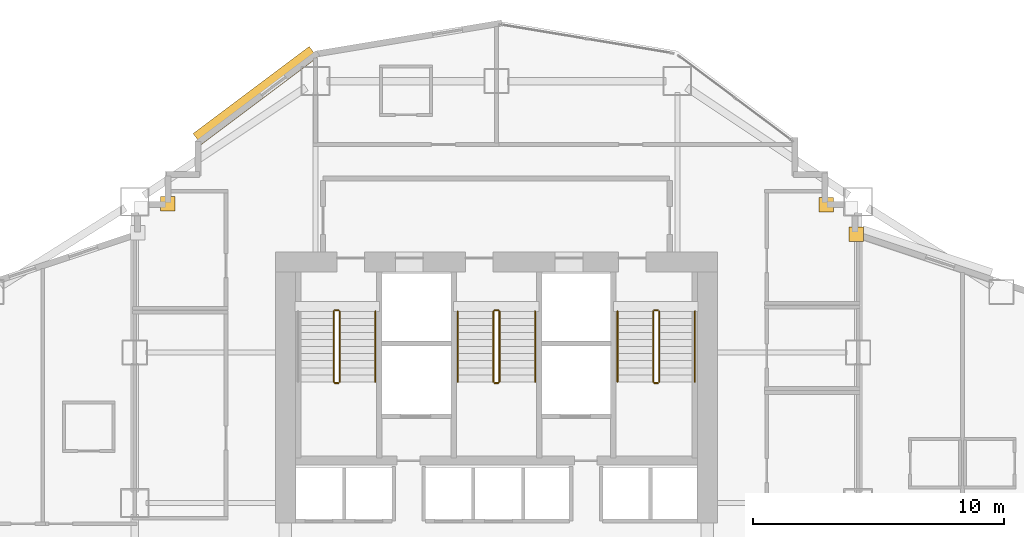
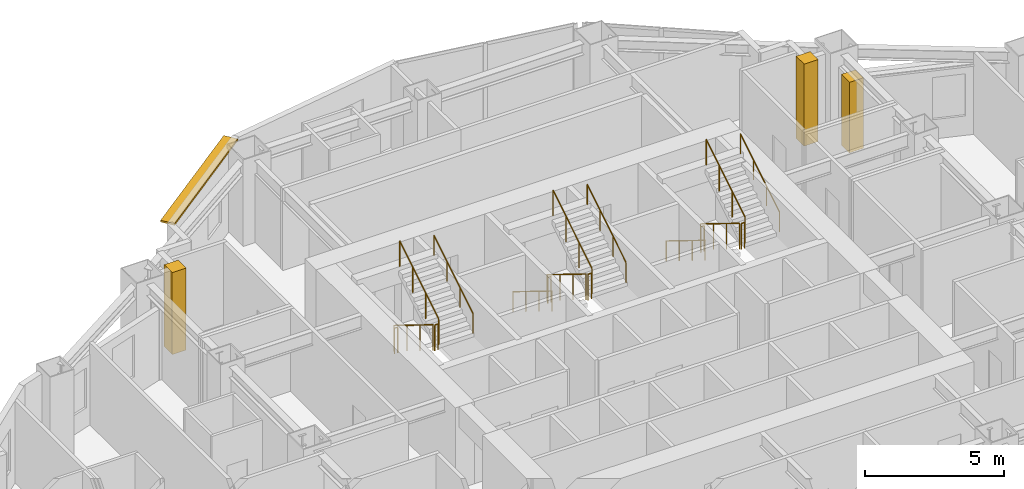
# One storey, part 15 of 16: 17 railings, 3 coverings, 1 shading device.
"""IFC4 building model written with IfcOpenShell, lengths in metres."""

from ifc_helpers import new_model, si_unit, direction, frame, origin, origin_2d, place, context, subcontext, project, spatial, rectangle, circle, extrude, material, layer, layer_set, type_object, element, save


model = new_model("IFC4")

# Units and contexts
model_context = context("Model", 3, precision=1e-05, world=origin(), true_north=direction((0.0, 1.0)))
body_context = subcontext(model_context, "Body", "Model", "MODEL_VIEW")
ifc_project = project(units=[si_unit("LENGTHUNIT", "METRE"), si_unit("AREAUNIT", "SQUARE_METRE"), si_unit("VOLUMEUNIT", "CUBIC_METRE"), si_unit("PLANEANGLEUNIT", "RADIAN"), si_unit("MASSUNIT", "GRAM", prefix="KILO")], contexts=[model_context])

# Site, building, storey
site_placement = place(None, origin())
site = spatial("IfcSite", under=ifc_project, at=site_placement, CompositionType="ELEMENT")
building_placement = place(site_placement, origin())
building = spatial("IfcBuilding", under=site, at=building_placement, Name="Haolan Belvedere Tower", CompositionType="ELEMENT")
storey_placement = place(building_placement, frame((0.0, 0.0, 78.0)))
storey = spatial("IfcBuildingStorey", under=building, at=storey_placement, Name="L19", CompositionType="ELEMENT", Elevation=78.0)

# Coverings
ifc_material_1 = material(Name="Pale champagne-silver anodised aluminium rainscreen cladding", Category="aluminium")
ifc_layer_1 = layer(ifc_material_1, 0.034912109375, Name="Pale champagne-silver anodised aluminium rainscreen cladding")
ifc_layer_set_1 = layer_set([ifc_layer_1], Name="Pale champagne-silver anodised aluminium rainscreen cladding")
covering_type = type_object("IfcCoveringType", Name="COV-CLAD-35", PredefinedType="CLADDING", material=ifc_layer_set_1)
covering_placement = place(storey_placement, frame((52.72021484375, 44.300048828125, 0.0), z_axis=(0.0, 0.0, 1.0), x_axis=(1.0, 0.0, 0.0)))
element("IfcCovering", 1, at=covering_placement, inside=storey, type_object=covering_type, Name="L19 pale-metal serrated corner cladding trim 7", PredefinedType="CLADDING", context=body_context, shape_type="SweptSolid", body=[
    extrude(rectangle(XDim=0.580078125, YDim=0.580078125, at=origin_2d()), origin(), (0.0, 0.0, 1.0), 3.096923828125),
])
for number, where, z_axis, x_axis, name in (
    (2, (51.5224609375, 45.47998046875, 0.0), (0.0, 0.0, 1.0), (1.0, 0.0, 0.0), "L19 pale-metal serrated corner cladding trim 8"),
    (3, (25.320068359375, 45.5224609375, 0.0), (0.0, 0.0, 1.0), (1.0, 0.0, 0.0), "L19 pale-metal serrated corner cladding trim 9"),
):
    element("IfcCovering", number, at=place(storey_placement, frame(where, z_axis=z_axis, x_axis=x_axis)), inside=storey, type_object=covering_type, Name=name, PredefinedType="CLADDING", context=body_context, shape_type="SweptSolid", body=[
        extrude(rectangle(XDim=0.580078125, YDim=0.580078125, at=origin_2d()), origin(), (0.0, 0.0, 1.0), 3.60009765625),
    ])

# Railings
ifc_material_2 = material(Name="Brushed stainless steel 304", Category="steel")
railing_type_1 = type_object("IfcRailingType", Name="RL-STAIR-GRD-1150", PredefinedType="GUARDRAIL", material=ifc_material_2)
railing_1_placement = place(storey_placement, frame((31.919921875, 41.22998046875, 0.172607421875)))
element("IfcRailing", 4, at=railing_1_placement, inside=storey, type_object=railing_type_1, Name="L19 ST1 stair guard 1", PredefinedType="GUARDRAIL", context=body_context, shape_type="SweptSolid", body=[
    extrude(circle(Radius=0.02392578125, at=origin_2d()), frame((0.0, 0.0, 1.1259765625), z_axis=(0.0, -0.851089632645, 0.525020415988), x_axis=(1.0, 0.0, 0.0)), (0.0, 0.0, 1.0), 3.2900390625),
    extrude(circle(Radius=0.02099609375, at=origin_2d()), origin(), (0.0, 0.0, 1.0), 1.101806640625),
    extrude(circle(Radius=0.02099609375, at=origin_2d()), frame((0.0, -0.933349609375, 0.57568359375)), (0.0, 0.0, 1.0), 1.101806640625),
    extrude(circle(Radius=0.02099609375, at=origin_2d()), frame((0.0, -1.86669921875, 1.151611328125)), (0.0, 0.0, 1.0), 1.101806640625),
    extrude(circle(Radius=0.02099609375, at=origin_2d()), frame((0.0, -2.800048828125, 1.727294921875)), (0.0, 0.0, 1.0), 1.101806640625),
])
railing_2_placement = place(storey_placement, frame((31.969970703125, 38.3798828125, 1.89990234375)))
element("IfcRailing", 5, at=railing_2_placement, inside=storey, type_object=railing_type_1, Name="L19 ST1 stair guard 2", PredefinedType="GUARDRAIL", context=body_context, shape_type="SweptSolid", body=[
    extrude(circle(Radius=0.02392578125, at=origin_2d()), frame((0.0, 0.0, 1.1259765625), z_axis=(1.0, 0.0, 0.0), x_axis=(0.0, 1.0, 0.0)), (0.0, 0.0, 1.0), 0.14013671875),
    extrude(circle(Radius=0.02099609375, at=origin_2d()), origin(), (0.0, 0.0, 1.0), 1.101806640625),
    extrude(circle(Radius=0.02099609375, at=origin_2d()), frame((0.14013671875, 0.0, 0.0)), (0.0, 0.0, 1.0), 1.101806640625),
])
railing_3_placement = place(storey_placement, frame((32.159912109375, 38.429931640625, 2.07275390625)))
element("IfcRailing", 6, at=railing_3_placement, inside=storey, type_object=railing_type_1, Name="L19 ST1 stair guard 3", PredefinedType="GUARDRAIL", context=body_context, shape_type="SweptSolid", body=[
    extrude(circle(Radius=0.02392578125, at=origin_2d()), frame((0.0, 0.0, 1.1259765625), z_axis=(0.0, 0.851089632645, 0.525020415988), x_axis=(-1.0, 0.0, 0.0)), (0.0, 0.0, 1.0), 3.2900390625),
    extrude(circle(Radius=0.02099609375, at=origin_2d()), origin(), (0.0, 0.0, 1.0), 1.101806640625),
    extrude(circle(Radius=0.02099609375, at=origin_2d()), frame((0.0, 0.933349609375, 0.57568359375)), (0.0, 0.0, 1.0), 1.101806640625),
    extrude(circle(Radius=0.02099609375, at=origin_2d()), frame((0.0, 1.86669921875, 1.151611328125)), (0.0, 0.0, 1.0), 1.101806640625),
    extrude(circle(Radius=0.02099609375, at=origin_2d()), frame((0.0, 2.800048828125, 1.727294921875)), (0.0, 0.0, 1.0), 1.101806640625),
])
railing_4_placement = place(storey_placement, frame((31.969970703125, 41.280029296875, 0.0)))
element("IfcRailing", 7, at=railing_4_placement, inside=storey, type_object=railing_type_1, Name="L19 ST1 stair guard 4", PredefinedType="GUARDRAIL", context=body_context, shape_type="SweptSolid", body=[
    extrude(circle(Radius=0.02392578125, at=origin_2d()), frame((0.0, 0.0, 1.1259765625), z_axis=(1.0, 0.0, 0.0), x_axis=(0.0, 1.0, 0.0)), (0.0, 0.0, 1.0), 0.14013671875),
    extrude(circle(Radius=0.02099609375, at=origin_2d()), origin(), (0.0, 0.0, 1.0), 1.101806640625),
    extrude(circle(Radius=0.02099609375, at=origin_2d()), frame((0.14013671875, 0.0, 0.0)), (0.0, 0.0, 1.0), 1.101806640625),
])
railing_5_placement = place(storey_placement, frame((38.280029296875, 41.22998046875, 0.172607421875)))
element("IfcRailing", 8, at=railing_5_placement, inside=storey, type_object=railing_type_1, Name="L19 ST3 stair guard 1", PredefinedType="GUARDRAIL", context=body_context, shape_type="SweptSolid", body=[
    extrude(circle(Radius=0.02392578125, at=origin_2d()), frame((0.0, 0.0, 1.1259765625), z_axis=(0.0, -0.851089632645, 0.525020415988), x_axis=(1.0, 0.0, 0.0)), (0.0, 0.0, 1.0), 3.2900390625),
    extrude(circle(Radius=0.02099609375, at=origin_2d()), origin(), (0.0, 0.0, 1.0), 1.101806640625),
    extrude(circle(Radius=0.02099609375, at=origin_2d()), frame((0.0, -0.933349609375, 0.57568359375)), (0.0, 0.0, 1.0), 1.101806640625),
    extrude(circle(Radius=0.02099609375, at=origin_2d()), frame((0.0, -1.86669921875, 1.151611328125)), (0.0, 0.0, 1.0), 1.101806640625),
    extrude(circle(Radius=0.02099609375, at=origin_2d()), frame((0.0, -2.800048828125, 1.727294921875)), (0.0, 0.0, 1.0), 1.101806640625),
])
railing_6_placement = place(storey_placement, frame((38.330078125, 38.3798828125, 1.89990234375)))
element("IfcRailing", 9, at=railing_6_placement, inside=storey, type_object=railing_type_1, Name="L19 ST3 stair guard 2", PredefinedType="GUARDRAIL", context=body_context, shape_type="SweptSolid", body=[
    extrude(circle(Radius=0.02392578125, at=origin_2d()), frame((0.0, 0.0, 1.1259765625), z_axis=(1.0, 0.0, 0.0), x_axis=(0.0, 1.0, 0.0)), (0.0, 0.0, 1.0), 0.139892578125),
    extrude(circle(Radius=0.02099609375, at=origin_2d()), origin(), (0.0, 0.0, 1.0), 1.101806640625),
    extrude(circle(Radius=0.02099609375, at=origin_2d()), frame((0.139892578125, 0.0, 0.0)), (0.0, 0.0, 1.0), 1.101806640625),
])
railing_7_placement = place(storey_placement, frame((38.52001953125, 38.429931640625, 2.07275390625)))
element("IfcRailing", 10, at=railing_7_placement, inside=storey, type_object=railing_type_1, Name="L19 ST3 stair guard 3", PredefinedType="GUARDRAIL", context=body_context, shape_type="SweptSolid", body=[
    extrude(circle(Radius=0.02392578125, at=origin_2d()), frame((0.0, 0.0, 1.1259765625), z_axis=(0.0, 0.851089632645, 0.525020415988), x_axis=(-1.0, 0.0, 0.0)), (0.0, 0.0, 1.0), 3.2900390625),
    extrude(circle(Radius=0.02099609375, at=origin_2d()), origin(), (0.0, 0.0, 1.0), 1.101806640625),
    extrude(circle(Radius=0.02099609375, at=origin_2d()), frame((0.0, 0.933349609375, 0.57568359375)), (0.0, 0.0, 1.0), 1.101806640625),
    extrude(circle(Radius=0.02099609375, at=origin_2d()), frame((0.0, 1.86669921875, 1.151611328125)), (0.0, 0.0, 1.0), 1.101806640625),
    extrude(circle(Radius=0.02099609375, at=origin_2d()), frame((0.0, 2.800048828125, 1.727294921875)), (0.0, 0.0, 1.0), 1.101806640625),
])
railing_8_placement = place(storey_placement, frame((38.330078125, 41.280029296875, 0.0)))
element("IfcRailing", 11, at=railing_8_placement, inside=storey, type_object=railing_type_1, Name="L19 ST3 stair guard 4", PredefinedType="GUARDRAIL", context=body_context, shape_type="SweptSolid", body=[
    extrude(circle(Radius=0.02392578125, at=origin_2d()), frame((0.0, 0.0, 1.1259765625), z_axis=(1.0, 0.0, 0.0), x_axis=(0.0, 1.0, 0.0)), (0.0, 0.0, 1.0), 0.139892578125),
    extrude(circle(Radius=0.02099609375, at=origin_2d()), origin(), (0.0, 0.0, 1.0), 1.101806640625),
    extrude(circle(Radius=0.02099609375, at=origin_2d()), frame((0.139892578125, 0.0, 0.0)), (0.0, 0.0, 1.0), 1.101806640625),
])
railing_9_placement = place(storey_placement, frame((44.639892578125, 41.22998046875, 0.172607421875)))
element("IfcRailing", 12, at=railing_9_placement, inside=storey, type_object=railing_type_1, Name="L19 ST2 stair guard 1", PredefinedType="GUARDRAIL", context=body_context, shape_type="SweptSolid", body=[
    extrude(circle(Radius=0.02392578125, at=origin_2d()), frame((0.0, 0.0, 1.1259765625), z_axis=(0.0, -0.851089632645, 0.525020415988), x_axis=(1.0, 0.0, 0.0)), (0.0, 0.0, 1.0), 3.2900390625),
    extrude(circle(Radius=0.02099609375, at=origin_2d()), origin(), (0.0, 0.0, 1.0), 1.101806640625),
    extrude(circle(Radius=0.02099609375, at=origin_2d()), frame((0.0, -0.933349609375, 0.57568359375)), (0.0, 0.0, 1.0), 1.101806640625),
    extrude(circle(Radius=0.02099609375, at=origin_2d()), frame((0.0, -1.86669921875, 1.151611328125)), (0.0, 0.0, 1.0), 1.101806640625),
    extrude(circle(Radius=0.02099609375, at=origin_2d()), frame((0.0, -2.800048828125, 1.727294921875)), (0.0, 0.0, 1.0), 1.101806640625),
])
railing_10_placement = place(storey_placement, frame((44.68994140625, 38.3798828125, 1.89990234375)))
element("IfcRailing", 13, at=railing_10_placement, inside=storey, type_object=railing_type_1, Name="L19 ST2 stair guard 2", PredefinedType="GUARDRAIL", context=body_context, shape_type="SweptSolid", body=[
    extrude(circle(Radius=0.02392578125, at=origin_2d()), frame((0.0, 0.0, 1.1259765625), z_axis=(1.0, 0.0, 0.0), x_axis=(0.0, 1.0, 0.0)), (0.0, 0.0, 1.0), 0.14013671875),
    extrude(circle(Radius=0.02099609375, at=origin_2d()), origin(), (0.0, 0.0, 1.0), 1.101806640625),
    extrude(circle(Radius=0.02099609375, at=origin_2d()), frame((0.14013671875, 0.0, 0.0)), (0.0, 0.0, 1.0), 1.101806640625),
])
railing_11_placement = place(storey_placement, frame((44.8798828125, 38.429931640625, 2.07275390625)))
element("IfcRailing", 14, at=railing_11_placement, inside=storey, type_object=railing_type_1, Name="L19 ST2 stair guard 3", PredefinedType="GUARDRAIL", context=body_context, shape_type="SweptSolid", body=[
    extrude(circle(Radius=0.02392578125, at=origin_2d()), frame((0.0, 0.0, 1.1259765625), z_axis=(0.0, 0.851089632645, 0.525020415988), x_axis=(-1.0, 0.0, 0.0)), (0.0, 0.0, 1.0), 3.2900390625),
    extrude(circle(Radius=0.02099609375, at=origin_2d()), origin(), (0.0, 0.0, 1.0), 1.101806640625),
    extrude(circle(Radius=0.02099609375, at=origin_2d()), frame((0.0, 0.933349609375, 0.57568359375)), (0.0, 0.0, 1.0), 1.101806640625),
    extrude(circle(Radius=0.02099609375, at=origin_2d()), frame((0.0, 1.86669921875, 1.151611328125)), (0.0, 0.0, 1.0), 1.101806640625),
    extrude(circle(Radius=0.02099609375, at=origin_2d()), frame((0.0, 2.800048828125, 1.727294921875)), (0.0, 0.0, 1.0), 1.101806640625),
])
railing_12_placement = place(storey_placement, frame((44.68994140625, 41.280029296875, 0.0)))
element("IfcRailing", 15, at=railing_12_placement, inside=storey, type_object=railing_type_1, Name="L19 ST2 stair guard 4", PredefinedType="GUARDRAIL", context=body_context, shape_type="SweptSolid", body=[
    extrude(circle(Radius=0.02392578125, at=origin_2d()), frame((0.0, 0.0, 1.1259765625), z_axis=(1.0, 0.0, 0.0), x_axis=(0.0, 1.0, 0.0)), (0.0, 0.0, 1.0), 0.14013671875),
    extrude(circle(Radius=0.02099609375, at=origin_2d()), origin(), (0.0, 0.0, 1.0), 1.101806640625),
    extrude(circle(Radius=0.02099609375, at=origin_2d()), frame((0.14013671875, 0.0, 0.0)), (0.0, 0.0, 1.0), 1.101806640625),
])
railing_type_2 = type_object("IfcRailingType", Name="RL-STAIR-HND-900", PredefinedType="HANDRAIL", material=ifc_material_2)
railing_13_placement = place(storey_placement, frame((33.580078125, 38.429931640625, 2.07275390625)))
element("IfcRailing", 16, at=railing_13_placement, inside=storey, type_object=railing_type_2, Name="L19 ST1 stair handrail 2", PredefinedType="HANDRAIL", context=body_context, shape_type="SweptSolid", body=[
    extrude(circle(Radius=0.02392578125, at=origin_2d()), frame((0.0, 0.0, 0.8759765625), z_axis=(0.0, 0.851089632645, 0.525020415988), x_axis=(-1.0, 0.0, 0.0)), (0.0, 0.0, 1.0), 3.2900390625),
    extrude(circle(Radius=0.02099609375, at=origin_2d()), origin(), (0.0, 0.0, 1.0), 0.851806640625),
    extrude(circle(Radius=0.02099609375, at=origin_2d()), frame((0.0, 0.933349609375, 0.57568359375)), (0.0, 0.0, 1.0), 0.851806640625),
    extrude(circle(Radius=0.02099609375, at=origin_2d()), frame((0.0, 1.86669921875, 1.151611328125)), (0.0, 0.0, 1.0), 0.851806640625),
    extrude(circle(Radius=0.02099609375, at=origin_2d()), frame((0.0, 2.800048828125, 1.727294921875)), (0.0, 0.0, 1.0), 0.851806640625),
])
railing_14_placement = place(storey_placement, frame((36.860107421875, 41.22998046875, 0.172607421875)))
element("IfcRailing", 17, at=railing_14_placement, inside=storey, type_object=railing_type_2, Name="L19 ST3 stair handrail 1", PredefinedType="HANDRAIL", context=body_context, shape_type="SweptSolid", body=[
    extrude(circle(Radius=0.02392578125, at=origin_2d()), frame((0.0, 0.0, 0.8759765625), z_axis=(0.0, -0.851089632645, 0.525020415988), x_axis=(1.0, 0.0, 0.0)), (0.0, 0.0, 1.0), 3.2900390625),
    extrude(circle(Radius=0.02099609375, at=origin_2d()), origin(), (0.0, 0.0, 1.0), 0.851806640625),
    extrude(circle(Radius=0.02099609375, at=origin_2d()), frame((0.0, -0.933349609375, 0.57568359375)), (0.0, 0.0, 1.0), 0.851806640625),
    extrude(circle(Radius=0.02099609375, at=origin_2d()), frame((0.0, -1.86669921875, 1.151611328125)), (0.0, 0.0, 1.0), 0.851806640625),
    extrude(circle(Radius=0.02099609375, at=origin_2d()), frame((0.0, -2.800048828125, 1.727294921875)), (0.0, 0.0, 1.0), 0.851806640625),
])
railing_15_placement = place(storey_placement, frame((39.93994140625, 38.429931640625, 2.07275390625)))
element("IfcRailing", 18, at=railing_15_placement, inside=storey, type_object=railing_type_2, Name="L19 ST3 stair handrail 2", PredefinedType="HANDRAIL", context=body_context, shape_type="SweptSolid", body=[
    extrude(circle(Radius=0.02392578125, at=origin_2d()), frame((0.0, 0.0, 0.8759765625), z_axis=(0.0, 0.851089632645, 0.525020415988), x_axis=(-1.0, 0.0, 0.0)), (0.0, 0.0, 1.0), 3.2900390625),
    extrude(circle(Radius=0.02099609375, at=origin_2d()), origin(), (0.0, 0.0, 1.0), 0.851806640625),
    extrude(circle(Radius=0.02099609375, at=origin_2d()), frame((0.0, 0.933349609375, 0.57568359375)), (0.0, 0.0, 1.0), 0.851806640625),
    extrude(circle(Radius=0.02099609375, at=origin_2d()), frame((0.0, 1.86669921875, 1.151611328125)), (0.0, 0.0, 1.0), 0.851806640625),
    extrude(circle(Radius=0.02099609375, at=origin_2d()), frame((0.0, 2.800048828125, 1.727294921875)), (0.0, 0.0, 1.0), 0.851806640625),
])
railing_16_placement = place(storey_placement, frame((43.219970703125, 41.22998046875, 0.172607421875)))
element("IfcRailing", 19, at=railing_16_placement, inside=storey, type_object=railing_type_2, Name="L19 ST2 stair handrail 1", PredefinedType="HANDRAIL", context=body_context, shape_type="SweptSolid", body=[
    extrude(circle(Radius=0.02392578125, at=origin_2d()), frame((0.0, 0.0, 0.8759765625), z_axis=(0.0, -0.851089632645, 0.525020415988), x_axis=(1.0, 0.0, 0.0)), (0.0, 0.0, 1.0), 3.2900390625),
    extrude(circle(Radius=0.02099609375, at=origin_2d()), origin(), (0.0, 0.0, 1.0), 0.851806640625),
    extrude(circle(Radius=0.02099609375, at=origin_2d()), frame((0.0, -0.933349609375, 0.57568359375)), (0.0, 0.0, 1.0), 0.851806640625),
    extrude(circle(Radius=0.02099609375, at=origin_2d()), frame((0.0, -1.86669921875, 1.151611328125)), (0.0, 0.0, 1.0), 0.851806640625),
    extrude(circle(Radius=0.02099609375, at=origin_2d()), frame((0.0, -2.800048828125, 1.727294921875)), (0.0, 0.0, 1.0), 0.851806640625),
])
railing_17_placement = place(storey_placement, frame((46.300048828125, 38.429931640625, 2.07275390625)))
element("IfcRailing", 20, at=railing_17_placement, inside=storey, type_object=railing_type_2, Name="L19 ST2 stair handrail 2", PredefinedType="HANDRAIL", context=body_context, shape_type="SweptSolid", body=[
    extrude(circle(Radius=0.02392578125, at=origin_2d()), frame((0.0, 0.0, 0.8759765625), z_axis=(0.0, 0.851089632645, 0.525020415988), x_axis=(-1.0, 0.0, 0.0)), (0.0, 0.0, 1.0), 3.2900390625),
    extrude(circle(Radius=0.02099609375, at=origin_2d()), origin(), (0.0, 0.0, 1.0), 0.851806640625),
    extrude(circle(Radius=0.02099609375, at=origin_2d()), frame((0.0, 0.933349609375, 0.57568359375)), (0.0, 0.0, 1.0), 0.851806640625),
    extrude(circle(Radius=0.02099609375, at=origin_2d()), frame((0.0, 1.86669921875, 1.151611328125)), (0.0, 0.0, 1.0), 0.851806640625),
    extrude(circle(Radius=0.02099609375, at=origin_2d()), frame((0.0, 2.800048828125, 1.727294921875)), (0.0, 0.0, 1.0), 0.851806640625),
])

# Shading device
ifc_material_3 = material(Name="Anodised champagne-silver aluminium 6063-T6", Category="aluminium")
ifc_layer_2 = layer(ifc_material_3, 0.080078125, Name="Anodised champagne-silver aluminium 6063-T6")
ifc_layer_set_2 = layer_set([ifc_layer_2], Name="Anodised champagne-silver aluminium 6063-T6")
shading_device_type = type_object("IfcShadingDeviceType", Name="SHD-SUN-550", PredefinedType="USERDEFINED", material=ifc_layer_set_2)
shading_device_placement = place(storey_placement, frame((28.80029296875, 49.8251953125, 3.5), z_axis=(0.0, 0.0, 1.0), x_axis=(-0.799998928149, -0.600001429133, 0.0)))
element("IfcShadingDevice", 21, at=shading_device_placement, inside=storey, type_object=shading_device_type, Name="L19 pale-metal horizontal SUNSHADE band 44.1", ObjectType="SUNSHADE", PredefinedType="USERDEFINED", context=body_context, shape_type="SweptSolid", body=[
    extrude(rectangle(XDim=5.78076171875, YDim=0.550048828125, at=origin_2d()), origin(), (0.0, 0.0, 1.0), 0.080078125),
])

save(model, "model.ifc")
